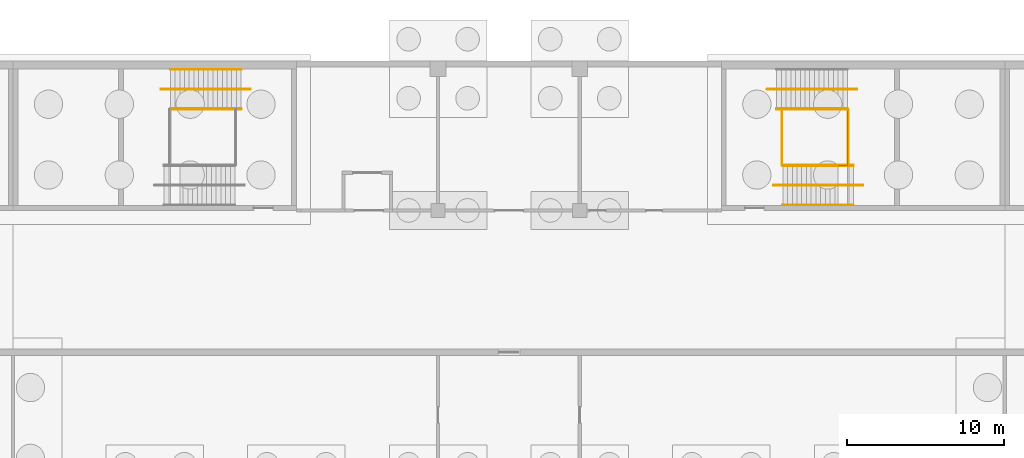
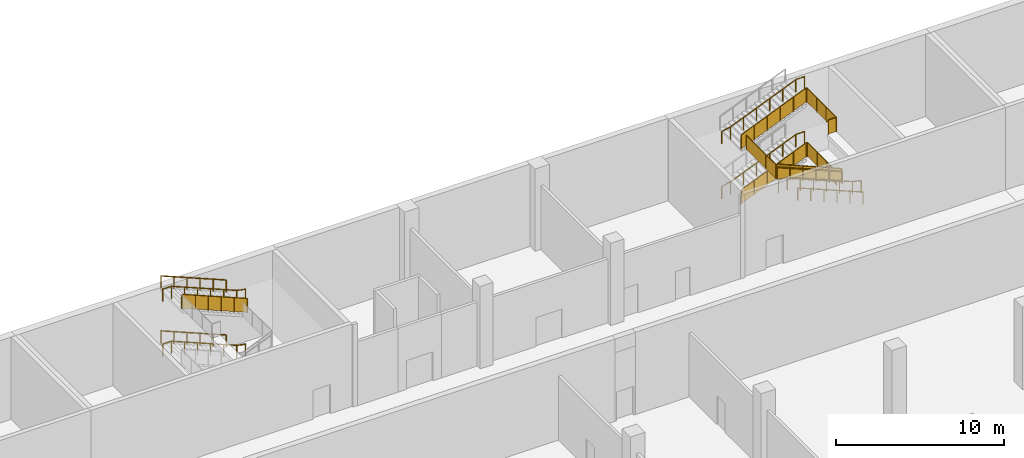
# One storey, part 34 of 42: 19 railings.
"""IFC4 building model written with IfcOpenShell, lengths in metres."""

from ifc_helpers import new_model, si_unit, direction, frame, origin, origin_2d, place, context, subcontext, project, spatial, polyline, circle, outline, extrude, material, type_object, element, save


model = new_model("IFC4")

# Units and contexts
model_context = context("Model", 3, precision=1e-05, world=origin(), true_north=direction((0.0, 1.0)))
body_context = subcontext(model_context, "Body", "Model", "MODEL_VIEW")
ifc_project = project(units=[si_unit("LENGTHUNIT", "METRE"), si_unit("AREAUNIT", "SQUARE_METRE"), si_unit("VOLUMEUNIT", "CUBIC_METRE"), si_unit("PLANEANGLEUNIT", "RADIAN"), si_unit("MASSUNIT", "GRAM", prefix="KILO")], contexts=[model_context])

# Site, building, storey
site_placement = place(None, origin())
site = spatial("IfcSite", under=ifc_project, at=site_placement, CompositionType="ELEMENT")
building_placement = place(site_placement, origin())
building = spatial("IfcBuilding", under=site, at=building_placement, Name="Silverbay Arena", CompositionType="ELEMENT")
storey_placement = place(building_placement, frame((0.0, 0.0, -6.0)))
storey = spatial("IfcBuildingStorey", under=building, at=storey_placement, Name="B1", CompositionType="ELEMENT", Elevation=-6.0)

# Railings
ifc_material_1 = material(Name="Stainless steel", Category="steel")
railing_type_1 = type_object("IfcRailingType", Name="Stair guard 1100", PredefinedType="GUARDRAIL", material=ifc_material_1)
railing_1_placement = place(storey_placement, frame((113.489990234375, 141.425048828125, 4.125)))
element("IfcRailing", 1, at=railing_1_placement, inside=storey, type_object=railing_type_1, Name="Stair ST-N2 B1 to L00 flight 3 guard left", PredefinedType="GUARDRAIL", context=body_context, shape_type="SweptSolid", body=[
    extrude(circle(Radius=0.02392578125, at=origin_2d()), frame((0.0, 0.0, 1.076171875), z_axis=(-0.923076923077, 0.0, 0.384615384615), x_axis=(0.0, -1.0, 0.0)), (0.0, 0.0, 1.0), 4.875),
    extrude(outline(polyline([(-0.008056640625, 0.046630859375), (0.907958984375, 0.42822265625), (0.907958984375, 1.431396484375), (-0.008056640625, 1.049560546875), (-0.008056640625, 0.046630859375)])), frame((0.0, -0.0029296875, 0.0), z_axis=(0.0, 1.0, 0.0), x_axis=(-1.0, 0.0, 0.0)), (0.0, 0.0, 1.0), 0.006103515625),
    extrude(outline(polyline([(-0.008056640625, 0.421630859375), (0.907958984375, 0.80322265625), (0.907958984375, 1.806396484375), (-0.008056640625, 1.424560546875), (-0.008056640625, 0.421630859375)])), frame((-0.89990234375, -0.0029296875, 0.0), z_axis=(0.0, 1.0, 0.0), x_axis=(-1.0, 0.0, 0.0)), (0.0, 0.0, 1.0), 0.006103515625),
    extrude(outline(polyline([(-0.008056640625, 0.796630859375), (0.907958984375, 1.17822265625), (0.907958984375, 2.181396484375), (-0.008056640625, 1.799560546875), (-0.008056640625, 0.796630859375)])), frame((-1.800048828125, -0.0029296875, 0.0), z_axis=(0.0, 1.0, 0.0), x_axis=(-1.0, 0.0, 0.0)), (0.0, 0.0, 1.0), 0.006103515625),
    extrude(outline(polyline([(-0.008056640625, 1.171630859375), (0.907958984375, 1.55322265625), (0.907958984375, 2.556396484375), (-0.008056640625, 2.174560546875), (-0.008056640625, 1.171630859375)])), frame((-2.699951171875, -0.0029296875, 0.0), z_axis=(0.0, 1.0, 0.0), x_axis=(-1.0, 0.0, 0.0)), (0.0, 0.0, 1.0), 0.006103515625),
    extrude(outline(polyline([(-0.008056640625, 1.546630859375), (0.907958984375, 1.92822265625), (0.907958984375, 2.931396484375), (-0.008056640625, 2.549560546875), (-0.008056640625, 1.546630859375)])), frame((-3.60009765625, -0.0029296875, 0.0), z_axis=(0.0, 1.0, 0.0), x_axis=(-1.0, 0.0, 0.0)), (0.0, 0.0, 1.0), 0.006103515625),
    extrude(circle(Radius=0.02099609375, at=origin_2d()), origin(), (0.0, 0.0, 1.0), 1.052001953125),
    extrude(circle(Radius=0.02099609375, at=origin_2d()), frame((-0.89990234375, 0.0, 0.375)), (0.0, 0.0, 1.0), 1.052001953125),
    extrude(circle(Radius=0.02099609375, at=origin_2d()), frame((-1.800048828125, 0.0, 0.75)), (0.0, 0.0, 1.0), 1.052001953125),
    extrude(circle(Radius=0.02099609375, at=origin_2d()), frame((-2.699951171875, 0.0, 1.125)), (0.0, 0.0, 1.0), 1.052001953125),
    extrude(circle(Radius=0.02099609375, at=origin_2d()), frame((-3.60009765625, 0.0, 1.5)), (0.0, 0.0, 1.0), 1.052001953125),
    extrude(circle(Radius=0.02099609375, at=origin_2d()), frame((-4.5, 0.0, 1.875)), (0.0, 0.0, 1.0), 1.052001953125),
])
railing_2_placement = place(storey_placement, frame((147.510009765625, 141.425048828125, 0.125)))
element("IfcRailing", 2, at=railing_2_placement, inside=storey, type_object=railing_type_1, Name="Stair ST-N3 B1 to L00 flight 1 guard left", PredefinedType="GUARDRAIL", context=body_context, shape_type="SweptSolid", body=[
    extrude(circle(Radius=0.02392578125, at=origin_2d()), frame((0.0, 0.0, 1.076171875), z_axis=(0.923076923077, 0.0, 0.384615384615), x_axis=(0.0, 1.0, 0.0)), (0.0, 0.0, 1.0), 4.875),
    extrude(outline(polyline([(-0.008056640625, 0.046630859375), (0.907958984375, 0.42822265625), (0.907958984375, 1.431396484375), (-0.008056640625, 1.049560546875), (-0.008056640625, 0.046630859375)])), frame((0.0, 0.0029296875, 0.0), z_axis=(0.0, -1.0, 0.0), x_axis=(1.0, 0.0, 0.0)), (0.0, 0.0, 1.0), 0.006103515625),
    extrude(outline(polyline([(-0.008056640625, 0.421630859375), (0.907958984375, 0.80322265625), (0.907958984375, 1.806396484375), (-0.008056640625, 1.424560546875), (-0.008056640625, 0.421630859375)])), frame((0.89990234375, 0.0029296875, 0.0), z_axis=(0.0, -1.0, 0.0), x_axis=(1.0, 0.0, 0.0)), (0.0, 0.0, 1.0), 0.006103515625),
    extrude(outline(polyline([(-0.008056640625, 0.796630859375), (0.907958984375, 1.17822265625), (0.907958984375, 2.181396484375), (-0.008056640625, 1.799560546875), (-0.008056640625, 0.796630859375)])), frame((1.800048828125, 0.0029296875, 0.0), z_axis=(0.0, -1.0, 0.0), x_axis=(1.0, 0.0, 0.0)), (0.0, 0.0, 1.0), 0.006103515625),
    extrude(outline(polyline([(-0.008056640625, 1.171630859375), (0.907958984375, 1.55322265625), (0.907958984375, 2.556396484375), (-0.008056640625, 2.174560546875), (-0.008056640625, 1.171630859375)])), frame((2.699951171875, 0.0029296875, 0.0), z_axis=(0.0, -1.0, 0.0), x_axis=(1.0, 0.0, 0.0)), (0.0, 0.0, 1.0), 0.006103515625),
    extrude(outline(polyline([(-0.008056640625, 1.546630859375), (0.907958984375, 1.92822265625), (0.907958984375, 2.931396484375), (-0.008056640625, 2.549560546875), (-0.008056640625, 1.546630859375)])), frame((3.60009765625, 0.0029296875, 0.0), z_axis=(0.0, -1.0, 0.0), x_axis=(1.0, 0.0, 0.0)), (0.0, 0.0, 1.0), 0.006103515625),
    extrude(circle(Radius=0.02099609375, at=origin_2d()), origin(), (0.0, 0.0, 1.0), 1.052001953125),
    extrude(circle(Radius=0.02099609375, at=origin_2d()), frame((0.89990234375, 0.0, 0.375)), (0.0, 0.0, 1.0), 1.052001953125),
    extrude(circle(Radius=0.02099609375, at=origin_2d()), frame((1.800048828125, 0.0, 0.75)), (0.0, 0.0, 1.0), 1.052001953125),
    extrude(circle(Radius=0.02099609375, at=origin_2d()), frame((2.699951171875, 0.0, 1.125)), (0.0, 0.0, 1.0), 1.052001953125),
    extrude(circle(Radius=0.02099609375, at=origin_2d()), frame((3.60009765625, 0.0, 1.5)), (0.0, 0.0, 1.0), 1.052001953125),
    extrude(circle(Radius=0.02099609375, at=origin_2d()), frame((4.5, 0.0, 1.875)), (0.0, 0.0, 1.0), 1.052001953125),
])
railing_3_placement = place(storey_placement, frame((152.39990234375, 137.875, 2.125)))
element("IfcRailing", 3, at=railing_3_placement, inside=storey, type_object=railing_type_1, Name="Stair ST-N3 B1 to L00 flight 2 guard right", PredefinedType="GUARDRAIL", context=body_context, shape_type="SweptSolid", body=[
    extrude(circle(Radius=0.02392578125, at=origin_2d()), frame((0.0, 0.0, 1.076171875), z_axis=(-0.923076923077, 0.0, 0.384615384615), x_axis=(0.0, -1.0, 0.0)), (0.0, 0.0, 1.0), 4.875),
    extrude(outline(polyline([(-0.008056640625, 0.046630859375), (0.907958984375, 0.42822265625), (0.907958984375, 1.431396484375), (-0.008056640625, 1.049560546875), (-0.008056640625, 0.046630859375)])), frame((0.0, -0.0029296875, 0.0), z_axis=(0.0, 1.0, 0.0), x_axis=(-1.0, 0.0, 0.0)), (0.0, 0.0, 1.0), 0.006103515625),
    extrude(outline(polyline([(-0.008056640625, 0.421630859375), (0.907958984375, 0.80322265625), (0.907958984375, 1.806396484375), (-0.008056640625, 1.424560546875), (-0.008056640625, 0.421630859375)])), frame((-0.89990234375, -0.0029296875, 0.0), z_axis=(0.0, 1.0, 0.0), x_axis=(-1.0, 0.0, 0.0)), (0.0, 0.0, 1.0), 0.006103515625),
    extrude(outline(polyline([(-0.008056640625, 0.796630859375), (0.907958984375, 1.17822265625), (0.907958984375, 2.181396484375), (-0.008056640625, 1.799560546875), (-0.008056640625, 0.796630859375)])), frame((-1.800048828125, -0.0029296875, 0.0), z_axis=(0.0, 1.0, 0.0), x_axis=(-1.0, 0.0, 0.0)), (0.0, 0.0, 1.0), 0.006103515625),
    extrude(outline(polyline([(-0.008056640625, 1.171630859375), (0.907958984375, 1.55322265625), (0.907958984375, 2.556396484375), (-0.008056640625, 2.174560546875), (-0.008056640625, 1.171630859375)])), frame((-2.699951171875, -0.0029296875, 0.0), z_axis=(0.0, 1.0, 0.0), x_axis=(-1.0, 0.0, 0.0)), (0.0, 0.0, 1.0), 0.006103515625),
    extrude(outline(polyline([(-0.008056640625, 1.546630859375), (0.907958984375, 1.92822265625), (0.907958984375, 2.931396484375), (-0.008056640625, 2.549560546875), (-0.008056640625, 1.546630859375)])), frame((-3.60009765625, -0.0029296875, 0.0), z_axis=(0.0, 1.0, 0.0), x_axis=(-1.0, 0.0, 0.0)), (0.0, 0.0, 1.0), 0.006103515625),
    extrude(circle(Radius=0.02099609375, at=origin_2d()), origin(), (0.0, 0.0, 1.0), 1.052001953125),
    extrude(circle(Radius=0.02099609375, at=origin_2d()), frame((-0.89990234375, 0.0, 0.375)), (0.0, 0.0, 1.0), 1.052001953125),
    extrude(circle(Radius=0.02099609375, at=origin_2d()), frame((-1.800048828125, 0.0, 0.75)), (0.0, 0.0, 1.0), 1.052001953125),
    extrude(circle(Radius=0.02099609375, at=origin_2d()), frame((-2.699951171875, 0.0, 1.125)), (0.0, 0.0, 1.0), 1.052001953125),
    extrude(circle(Radius=0.02099609375, at=origin_2d()), frame((-3.60009765625, 0.0, 1.5)), (0.0, 0.0, 1.0), 1.052001953125),
    extrude(circle(Radius=0.02099609375, at=origin_2d()), frame((-4.5, 0.0, 1.875)), (0.0, 0.0, 1.0), 1.052001953125),
])
railing_4_placement = place(storey_placement, frame((147.510009765625, 141.425048828125, 4.125)))
element("IfcRailing", 4, at=railing_4_placement, inside=storey, type_object=railing_type_1, Name="Stair ST-N3 B1 to L00 flight 3 guard left", PredefinedType="GUARDRAIL", context=body_context, shape_type="SweptSolid", body=[
    extrude(circle(Radius=0.02392578125, at=origin_2d()), frame((0.0, 0.0, 1.076171875), z_axis=(0.923076923077, 0.0, 0.384615384615), x_axis=(0.0, 1.0, 0.0)), (0.0, 0.0, 1.0), 4.875),
    extrude(outline(polyline([(-0.008056640625, 0.046630859375), (0.907958984375, 0.42822265625), (0.907958984375, 1.431396484375), (-0.008056640625, 1.049560546875), (-0.008056640625, 0.046630859375)])), frame((0.0, 0.0029296875, 0.0), z_axis=(0.0, -1.0, 0.0), x_axis=(1.0, 0.0, 0.0)), (0.0, 0.0, 1.0), 0.006103515625),
    extrude(outline(polyline([(-0.008056640625, 0.421630859375), (0.907958984375, 0.80322265625), (0.907958984375, 1.806396484375), (-0.008056640625, 1.424560546875), (-0.008056640625, 0.421630859375)])), frame((0.89990234375, 0.0029296875, 0.0), z_axis=(0.0, -1.0, 0.0), x_axis=(1.0, 0.0, 0.0)), (0.0, 0.0, 1.0), 0.006103515625),
    extrude(outline(polyline([(-0.008056640625, 0.796630859375), (0.907958984375, 1.17822265625), (0.907958984375, 2.181396484375), (-0.008056640625, 1.799560546875), (-0.008056640625, 0.796630859375)])), frame((1.800048828125, 0.0029296875, 0.0), z_axis=(0.0, -1.0, 0.0), x_axis=(1.0, 0.0, 0.0)), (0.0, 0.0, 1.0), 0.006103515625),
    extrude(outline(polyline([(-0.008056640625, 1.171630859375), (0.907958984375, 1.55322265625), (0.907958984375, 2.556396484375), (-0.008056640625, 2.174560546875), (-0.008056640625, 1.171630859375)])), frame((2.699951171875, 0.0029296875, 0.0), z_axis=(0.0, -1.0, 0.0), x_axis=(1.0, 0.0, 0.0)), (0.0, 0.0, 1.0), 0.006103515625),
    extrude(outline(polyline([(-0.008056640625, 1.546630859375), (0.907958984375, 1.92822265625), (0.907958984375, 2.931396484375), (-0.008056640625, 2.549560546875), (-0.008056640625, 1.546630859375)])), frame((3.60009765625, 0.0029296875, 0.0), z_axis=(0.0, -1.0, 0.0), x_axis=(1.0, 0.0, 0.0)), (0.0, 0.0, 1.0), 0.006103515625),
    extrude(circle(Radius=0.02099609375, at=origin_2d()), origin(), (0.0, 0.0, 1.0), 1.052001953125),
    extrude(circle(Radius=0.02099609375, at=origin_2d()), frame((0.89990234375, 0.0, 0.375)), (0.0, 0.0, 1.0), 1.052001953125),
    extrude(circle(Radius=0.02099609375, at=origin_2d()), frame((1.800048828125, 0.0, 0.75)), (0.0, 0.0, 1.0), 1.052001953125),
    extrude(circle(Radius=0.02099609375, at=origin_2d()), frame((2.699951171875, 0.0, 1.125)), (0.0, 0.0, 1.0), 1.052001953125),
    extrude(circle(Radius=0.02099609375, at=origin_2d()), frame((3.60009765625, 0.0, 1.5)), (0.0, 0.0, 1.0), 1.052001953125),
    extrude(circle(Radius=0.02099609375, at=origin_2d()), frame((4.5, 0.0, 1.875)), (0.0, 0.0, 1.0), 1.052001953125),
])
for number, where, name in (
    (5, (152.06005859375, 137.89990234375, 2.0), "Stair ST-N3 B1 to L00 landing 1 guard"),
    (6, (147.85009765625, 137.89990234375, 4.0), "Stair ST-N3 B1 to L00 landing 2 guard"),
):
    element("IfcRailing", number, at=place(storey_placement, frame(where)), inside=storey, type_object=railing_type_1, Name=name, PredefinedType="GUARDRAIL", context=body_context, shape_type="SweptSolid", body=[
        extrude(circle(Radius=0.02392578125, at=origin_2d()), frame((0.0, 0.0, 1.076171875), z_axis=(0.0, 1.0, 0.0), x_axis=(-1.0, 0.0, 0.0)), (0.0, 0.0, 1.0), 3.5),
        extrude(outline(polyline([(-0.008056640625, 0.050048828125), (1.174560546875, 0.050048828125), (1.174560546875, 1.052978515625), (-0.008056640625, 1.052978515625), (-0.008056640625, 0.050048828125)])), frame((-0.0029296875, 0.0, 0.0), z_axis=(1.0, 0.0, 0.0), x_axis=(0.0, 1.0, 0.0)), (0.0, 0.0, 1.0), 0.006103515625),
        extrude(outline(polyline([(-0.008056640625, 0.050048828125), (1.174560546875, 0.050048828125), (1.174560546875, 1.052978515625), (-0.008056640625, 1.052978515625), (-0.008056640625, 0.050048828125)])), frame((-0.0029296875, 1.166748046875, 0.0), z_axis=(1.0, 0.0, 0.0), x_axis=(0.0, 1.0, 0.0)), (0.0, 0.0, 1.0), 0.006103515625),
        extrude(outline(polyline([(-0.008056640625, 0.050048828125), (1.174560546875, 0.050048828125), (1.174560546875, 1.052978515625), (-0.008056640625, 1.052978515625), (-0.008056640625, 0.050048828125)])), frame((-0.0029296875, 2.333251953125, 0.0), z_axis=(1.0, 0.0, 0.0), x_axis=(0.0, 1.0, 0.0)), (0.0, 0.0, 1.0), 0.006103515625),
        extrude(circle(Radius=0.02099609375, at=origin_2d()), origin(), (0.0, 0.0, 1.0), 1.052001953125),
        extrude(circle(Radius=0.02099609375, at=origin_2d()), frame((0.0, 1.166748046875, 0.0)), (0.0, 0.0, 1.0), 1.052001953125),
        extrude(circle(Radius=0.02099609375, at=origin_2d()), frame((0.0, 2.333251953125, 0.0)), (0.0, 0.0, 1.0), 1.052001953125),
        extrude(circle(Radius=0.02099609375, at=origin_2d()), frame((0.0, 3.5, 0.0)), (0.0, 0.0, 1.0), 1.052001953125),
    ])
railing_5_placement = place(storey_placement, frame((151.449951171875, 137.85009765625, 6.0)))
element("IfcRailing", 7, at=railing_5_placement, inside=storey, type_object=railing_type_1, Name="Stair ST-N3 B1 to L00 landing 3 guard", PredefinedType="GUARDRAIL", context=body_context, shape_type="SweptSolid", body=[
    extrude(circle(Radius=0.02392578125, at=origin_2d()), frame((0.0, 0.0, 1.076171875), z_axis=(1.0, 0.0, 0.0), x_axis=(0.0, 1.0, 0.0)), (0.0, 0.0, 1.0), 0.56005859375),
    extrude(outline(polyline([(-0.008056640625, 0.050048828125), (0.568115234375, 0.050048828125), (0.568115234375, 1.052978515625), (-0.008056640625, 1.052978515625), (-0.008056640625, 0.050048828125)])), frame((0.0, 0.0029296875, 0.0), z_axis=(0.0, -1.0, 0.0), x_axis=(1.0, 0.0, 0.0)), (0.0, 0.0, 1.0), 0.006103515625),
    extrude(circle(Radius=0.02392578125, at=origin_2d()), frame((0.56005859375, 0.0, 1.076171875), z_axis=(0.0, 1.0, 0.0), x_axis=(-1.0, 0.0, 0.0)), (0.0, 0.0, 1.0), 3.5498046875),
    extrude(outline(polyline([(-0.008056640625, 0.050048828125), (1.191162109375, 0.050048828125), (1.191162109375, 1.052978515625), (-0.008056640625, 1.052978515625), (-0.008056640625, 0.050048828125)])), frame((0.55712890625, 0.0, 0.0), z_axis=(1.0, 0.0, 0.0), x_axis=(0.0, 1.0, 0.0)), (0.0, 0.0, 1.0), 0.006103515625),
    extrude(outline(polyline([(-0.008056640625, 0.050048828125), (1.191162109375, 0.050048828125), (1.191162109375, 1.052978515625), (-0.008056640625, 1.052978515625), (-0.008056640625, 0.050048828125)])), frame((0.55712890625, 1.183349609375, 0.0), z_axis=(1.0, 0.0, 0.0), x_axis=(0.0, 1.0, 0.0)), (0.0, 0.0, 1.0), 0.006103515625),
    extrude(outline(polyline([(-0.008056640625, 0.050048828125), (1.191162109375, 0.050048828125), (1.191162109375, 1.052978515625), (-0.008056640625, 1.052978515625), (-0.008056640625, 0.050048828125)])), frame((0.55712890625, 2.366455078125, 0.0), z_axis=(1.0, 0.0, 0.0), x_axis=(0.0, 1.0, 0.0)), (0.0, 0.0, 1.0), 0.006103515625),
    extrude(circle(Radius=0.02099609375, at=origin_2d()), origin(), (0.0, 0.0, 1.0), 1.052001953125),
    extrude(circle(Radius=0.02099609375, at=origin_2d()), frame((0.56005859375, 0.0, 0.0)), (0.0, 0.0, 1.0), 1.052001953125),
    extrude(circle(Radius=0.02099609375, at=origin_2d()), frame((0.56005859375, 1.183349609375, 0.0)), (0.0, 0.0, 1.0), 1.052001953125),
    extrude(circle(Radius=0.02099609375, at=origin_2d()), frame((0.56005859375, 2.366455078125, 0.0)), (0.0, 0.0, 1.0), 1.052001953125),
    extrude(circle(Radius=0.02099609375, at=origin_2d()), frame((0.56005859375, 3.5498046875, 0.0)), (0.0, 0.0, 1.0), 1.052001953125),
])
ifc_material_2 = material(Name="Stainless steel", Category="steel")
railing_type_2 = type_object("IfcRailingType", Name="Stair handrail 900", PredefinedType="HANDRAIL", material=ifc_material_2)
railing_6_placement = place(storey_placement, frame((113.489990234375, 143.949951171875, 0.125)))
element("IfcRailing", 8, at=railing_6_placement, inside=storey, type_object=railing_type_2, Name="Stair ST-N2 B1 to L00 flight 1 handrail right", PredefinedType="HANDRAIL", context=body_context, shape_type="SweptSolid", body=[
    extrude(circle(Radius=0.02392578125, at=origin_2d()), frame((0.0, 0.0, 0.8759765625), z_axis=(-0.923076923077, 0.0, 0.384615384615), x_axis=(0.0, -1.0, 0.0)), (0.0, 0.0, 1.0), 4.875),
    extrude(circle(Radius=0.02099609375, at=origin_2d()), origin(), (0.0, 0.0, 1.0), 0.851806640625),
    extrude(circle(Radius=0.02099609375, at=origin_2d()), frame((-0.89990234375, 0.0, 0.375)), (0.0, 0.0, 1.0), 0.851806640625),
    extrude(circle(Radius=0.02099609375, at=origin_2d()), frame((-1.800048828125, 0.0, 0.75)), (0.0, 0.0, 1.0), 0.851806640625),
    extrude(circle(Radius=0.02099609375, at=origin_2d()), frame((-2.699951171875, 0.0, 1.125)), (0.0, 0.0, 1.0), 0.851806640625),
    extrude(circle(Radius=0.02099609375, at=origin_2d()), frame((-3.60009765625, 0.0, 1.5)), (0.0, 0.0, 1.0), 0.851806640625),
    extrude(circle(Radius=0.02099609375, at=origin_2d()), frame((-4.5, 0.0, 1.875)), (0.0, 0.0, 1.0), 0.851806640625),
])
railing_7_placement = place(storey_placement, frame((114.090087890625, 142.699951171875, 0.0)))
element("IfcRailing", 9, at=railing_7_placement, inside=storey, type_object=railing_type_2, Name="Stair ST-N2 B1 to L00 flight 1 central handrail", PredefinedType="HANDRAIL", context=body_context, shape_type="SweptSolid", body=[
    extrude(circle(Radius=0.02392578125, at=origin_2d()), frame((0.0, 0.0, 0.8759765625), z_axis=(-0.978987046276, 0.0, 0.203922444139), x_axis=(0.0, -1.0, 0.0)), (0.0, 0.0, 1.0), 0.613037109375),
    extrude(circle(Radius=0.02392578125, at=origin_2d()), frame((-0.60009765625, 0.0, 1.0009765625), z_axis=(-0.923076923077, 0.0, 0.384615384615), x_axis=(0.0, -1.0, 0.0)), (0.0, 0.0, 1.0), 4.875),
    extrude(circle(Radius=0.02392578125, at=origin_2d()), frame((-5.10009765625, 0.0, 2.8759765625), z_axis=(-1.0, 0.0, 0.0), x_axis=(0.0, -1.0, 0.0)), (0.0, 0.0, 1.0), 0.60009765625),
    extrude(circle(Radius=0.02099609375, at=origin_2d()), origin(), (0.0, 0.0, 1.0), 0.851806640625),
    extrude(circle(Radius=0.02099609375, at=origin_2d()), frame((-0.60009765625, 0.0, 0.125)), (0.0, 0.0, 1.0), 0.851806640625),
    extrude(circle(Radius=0.02099609375, at=origin_2d()), frame((-1.5, 0.0, 0.5)), (0.0, 0.0, 1.0), 0.851806640625),
    extrude(circle(Radius=0.02099609375, at=origin_2d()), frame((-2.400146484375, 0.0, 0.875)), (0.0, 0.0, 1.0), 0.851806640625),
    extrude(circle(Radius=0.02099609375, at=origin_2d()), frame((-3.300048828125, 0.0, 1.25)), (0.0, 0.0, 1.0), 0.851806640625),
    extrude(circle(Radius=0.02099609375, at=origin_2d()), frame((-4.2001953125, 0.0, 1.625)), (0.0, 0.0, 1.0), 0.851806640625),
    extrude(circle(Radius=0.02099609375, at=origin_2d()), frame((-5.10009765625, 0.0, 2.0)), (0.0, 0.0, 1.0), 0.851806640625),
    extrude(circle(Radius=0.02099609375, at=origin_2d()), frame((-5.7001953125, 0.0, 2.0)), (0.0, 0.0, 1.0), 0.851806640625),
])
for number, where, name in (
    (10, (113.489990234375, 141.464111328125, 4.125), "Stair ST-N2 B1 to L00 flight 3 handrail left"),
    (11, (113.489990234375, 143.949951171875, 4.125), "Stair ST-N2 B1 to L00 flight 3 handrail right"),
):
    element("IfcRailing", number, at=place(storey_placement, frame(where)), inside=storey, type_object=railing_type_2, Name=name, PredefinedType="HANDRAIL", context=body_context, shape_type="SweptSolid", body=[
        extrude(circle(Radius=0.02392578125, at=origin_2d()), frame((0.0, 0.0, 0.8759765625), z_axis=(-0.923076923077, 0.0, 0.384615384615), x_axis=(0.0, -1.0, 0.0)), (0.0, 0.0, 1.0), 4.875),
        extrude(circle(Radius=0.02099609375, at=origin_2d()), origin(), (0.0, 0.0, 1.0), 0.851806640625),
        extrude(circle(Radius=0.02099609375, at=origin_2d()), frame((-0.89990234375, 0.0, 0.375)), (0.0, 0.0, 1.0), 0.851806640625),
        extrude(circle(Radius=0.02099609375, at=origin_2d()), frame((-1.800048828125, 0.0, 0.75)), (0.0, 0.0, 1.0), 0.851806640625),
        extrude(circle(Radius=0.02099609375, at=origin_2d()), frame((-2.699951171875, 0.0, 1.125)), (0.0, 0.0, 1.0), 0.851806640625),
        extrude(circle(Radius=0.02099609375, at=origin_2d()), frame((-3.60009765625, 0.0, 1.5)), (0.0, 0.0, 1.0), 0.851806640625),
        extrude(circle(Radius=0.02099609375, at=origin_2d()), frame((-4.5, 0.0, 1.875)), (0.0, 0.0, 1.0), 0.851806640625),
    ])
railing_8_placement = place(storey_placement, frame((114.090087890625, 142.699951171875, 4.0)))
element("IfcRailing", 12, at=railing_8_placement, inside=storey, type_object=railing_type_2, Name="Stair ST-N2 B1 to L00 flight 3 central handrail", PredefinedType="HANDRAIL", context=body_context, shape_type="SweptSolid", body=[
    extrude(circle(Radius=0.02392578125, at=origin_2d()), frame((0.0, 0.0, 0.8759765625), z_axis=(-0.978987046276, 0.0, 0.203922444139), x_axis=(0.0, -1.0, 0.0)), (0.0, 0.0, 1.0), 0.613037109375),
    extrude(circle(Radius=0.02392578125, at=origin_2d()), frame((-0.60009765625, 0.0, 1.0009765625), z_axis=(-0.923076923077, 0.0, 0.384615384615), x_axis=(0.0, -1.0, 0.0)), (0.0, 0.0, 1.0), 4.875),
    extrude(circle(Radius=0.02392578125, at=origin_2d()), frame((-5.10009765625, 0.0, 2.8759765625), z_axis=(-1.0, 0.0, 0.0), x_axis=(0.0, -1.0, 0.0)), (0.0, 0.0, 1.0), 0.60009765625),
    extrude(circle(Radius=0.02099609375, at=origin_2d()), origin(), (0.0, 0.0, 1.0), 0.851806640625),
    extrude(circle(Radius=0.02099609375, at=origin_2d()), frame((-0.60009765625, 0.0, 0.125)), (0.0, 0.0, 1.0), 0.851806640625),
    extrude(circle(Radius=0.02099609375, at=origin_2d()), frame((-1.5, 0.0, 0.5)), (0.0, 0.0, 1.0), 0.851806640625),
    extrude(circle(Radius=0.02099609375, at=origin_2d()), frame((-2.400146484375, 0.0, 0.875)), (0.0, 0.0, 1.0), 0.851806640625),
    extrude(circle(Radius=0.02099609375, at=origin_2d()), frame((-3.300048828125, 0.0, 1.25)), (0.0, 0.0, 1.0), 0.851806640625),
    extrude(circle(Radius=0.02099609375, at=origin_2d()), frame((-4.2001953125, 0.0, 1.625)), (0.0, 0.0, 1.0), 0.851806640625),
    extrude(circle(Radius=0.02099609375, at=origin_2d()), frame((-5.10009765625, 0.0, 2.0)), (0.0, 0.0, 1.0), 0.851806640625),
    extrude(circle(Radius=0.02099609375, at=origin_2d()), frame((-5.7001953125, 0.0, 2.0)), (0.0, 0.0, 1.0), 0.851806640625),
])
railing_9_placement = place(storey_placement, frame((147.510009765625, 141.464111328125, 0.125)))
element("IfcRailing", 13, at=railing_9_placement, inside=storey, type_object=railing_type_2, Name="Stair ST-N3 B1 to L00 flight 1 handrail left", PredefinedType="HANDRAIL", context=body_context, shape_type="SweptSolid", body=[
    extrude(circle(Radius=0.02392578125, at=origin_2d()), frame((0.0, 0.0, 0.8759765625), z_axis=(0.923076923077, 0.0, 0.384615384615), x_axis=(0.0, 1.0, 0.0)), (0.0, 0.0, 1.0), 4.875),
    extrude(circle(Radius=0.02099609375, at=origin_2d()), origin(), (0.0, 0.0, 1.0), 0.851806640625),
    extrude(circle(Radius=0.02099609375, at=origin_2d()), frame((0.89990234375, 0.0, 0.375)), (0.0, 0.0, 1.0), 0.851806640625),
    extrude(circle(Radius=0.02099609375, at=origin_2d()), frame((1.800048828125, 0.0, 0.75)), (0.0, 0.0, 1.0), 0.851806640625),
    extrude(circle(Radius=0.02099609375, at=origin_2d()), frame((2.699951171875, 0.0, 1.125)), (0.0, 0.0, 1.0), 0.851806640625),
    extrude(circle(Radius=0.02099609375, at=origin_2d()), frame((3.60009765625, 0.0, 1.5)), (0.0, 0.0, 1.0), 0.851806640625),
    extrude(circle(Radius=0.02099609375, at=origin_2d()), frame((4.5, 0.0, 1.875)), (0.0, 0.0, 1.0), 0.851806640625),
])
railing_10_placement = place(storey_placement, frame((146.909912109375, 142.699951171875, 0.0)))
element("IfcRailing", 14, at=railing_10_placement, inside=storey, type_object=railing_type_2, Name="Stair ST-N3 B1 to L00 flight 1 central handrail", PredefinedType="HANDRAIL", context=body_context, shape_type="SweptSolid", body=[
    extrude(circle(Radius=0.02392578125, at=origin_2d()), frame((0.0, 0.0, 0.8759765625), z_axis=(0.978987046276, 0.0, 0.203922444139), x_axis=(0.0, 1.0, 0.0)), (0.0, 0.0, 1.0), 0.613037109375),
    extrude(circle(Radius=0.02392578125, at=origin_2d()), frame((0.60009765625, 0.0, 1.0009765625), z_axis=(0.923076923077, 0.0, 0.384615384615), x_axis=(0.0, 1.0, 0.0)), (0.0, 0.0, 1.0), 4.875),
    extrude(circle(Radius=0.02392578125, at=origin_2d()), frame((5.10009765625, 0.0, 2.8759765625), z_axis=(1.0, 0.0, 0.0), x_axis=(0.0, 1.0, 0.0)), (0.0, 0.0, 1.0), 0.60009765625),
    extrude(circle(Radius=0.02099609375, at=origin_2d()), origin(), (0.0, 0.0, 1.0), 0.851806640625),
    extrude(circle(Radius=0.02099609375, at=origin_2d()), frame((0.60009765625, 0.0, 0.125)), (0.0, 0.0, 1.0), 0.851806640625),
    extrude(circle(Radius=0.02099609375, at=origin_2d()), frame((1.5, 0.0, 0.5)), (0.0, 0.0, 1.0), 0.851806640625),
    extrude(circle(Radius=0.02099609375, at=origin_2d()), frame((2.400146484375, 0.0, 0.875)), (0.0, 0.0, 1.0), 0.851806640625),
    extrude(circle(Radius=0.02099609375, at=origin_2d()), frame((3.300048828125, 0.0, 1.25)), (0.0, 0.0, 1.0), 0.851806640625),
    extrude(circle(Radius=0.02099609375, at=origin_2d()), frame((4.2001953125, 0.0, 1.625)), (0.0, 0.0, 1.0), 0.851806640625),
    extrude(circle(Radius=0.02099609375, at=origin_2d()), frame((5.10009765625, 0.0, 2.0)), (0.0, 0.0, 1.0), 0.851806640625),
    extrude(circle(Radius=0.02099609375, at=origin_2d()), frame((5.7001953125, 0.0, 2.0)), (0.0, 0.0, 1.0), 0.851806640625),
])
for number, where, name in (
    (15, (152.39990234375, 135.35009765625, 2.125), "Stair ST-N3 B1 to L00 flight 2 handrail left"),
    (16, (152.39990234375, 137.8359375, 2.125), "Stair ST-N3 B1 to L00 flight 2 handrail right"),
):
    element("IfcRailing", number, at=place(storey_placement, frame(where)), inside=storey, type_object=railing_type_2, Name=name, PredefinedType="HANDRAIL", context=body_context, shape_type="SweptSolid", body=[
        extrude(circle(Radius=0.02392578125, at=origin_2d()), frame((0.0, 0.0, 0.8759765625), z_axis=(-0.923076923077, 0.0, 0.384615384615), x_axis=(0.0, -1.0, 0.0)), (0.0, 0.0, 1.0), 4.875),
        extrude(circle(Radius=0.02099609375, at=origin_2d()), origin(), (0.0, 0.0, 1.0), 0.851806640625),
        extrude(circle(Radius=0.02099609375, at=origin_2d()), frame((-0.89990234375, 0.0, 0.375)), (0.0, 0.0, 1.0), 0.851806640625),
        extrude(circle(Radius=0.02099609375, at=origin_2d()), frame((-1.800048828125, 0.0, 0.75)), (0.0, 0.0, 1.0), 0.851806640625),
        extrude(circle(Radius=0.02099609375, at=origin_2d()), frame((-2.699951171875, 0.0, 1.125)), (0.0, 0.0, 1.0), 0.851806640625),
        extrude(circle(Radius=0.02099609375, at=origin_2d()), frame((-3.60009765625, 0.0, 1.5)), (0.0, 0.0, 1.0), 0.851806640625),
        extrude(circle(Radius=0.02099609375, at=origin_2d()), frame((-4.5, 0.0, 1.875)), (0.0, 0.0, 1.0), 0.851806640625),
    ])
railing_11_placement = place(storey_placement, frame((153.0, 136.60009765625, 2.0)))
element("IfcRailing", 17, at=railing_11_placement, inside=storey, type_object=railing_type_2, Name="Stair ST-N3 B1 to L00 flight 2 central handrail", PredefinedType="HANDRAIL", context=body_context, shape_type="SweptSolid", body=[
    extrude(circle(Radius=0.02392578125, at=origin_2d()), frame((0.0, 0.0, 0.8759765625), z_axis=(-0.978987046276, 0.0, 0.203922444139), x_axis=(0.0, -1.0, 0.0)), (0.0, 0.0, 1.0), 0.613037109375),
    extrude(circle(Radius=0.02392578125, at=origin_2d()), frame((-0.60009765625, 0.0, 1.0009765625), z_axis=(-0.923076923077, 0.0, 0.384615384615), x_axis=(0.0, -1.0, 0.0)), (0.0, 0.0, 1.0), 4.875),
    extrude(circle(Radius=0.02392578125, at=origin_2d()), frame((-5.10009765625, 0.0, 2.8759765625), z_axis=(-1.0, 0.0, 0.0), x_axis=(0.0, -1.0, 0.0)), (0.0, 0.0, 1.0), 0.599853515625),
    extrude(circle(Radius=0.02099609375, at=origin_2d()), origin(), (0.0, 0.0, 1.0), 0.851806640625),
    extrude(circle(Radius=0.02099609375, at=origin_2d()), frame((-0.60009765625, 0.0, 0.125)), (0.0, 0.0, 1.0), 0.851806640625),
    extrude(circle(Radius=0.02099609375, at=origin_2d()), frame((-1.5, 0.0, 0.5)), (0.0, 0.0, 1.0), 0.851806640625),
    extrude(circle(Radius=0.02099609375, at=origin_2d()), frame((-2.400146484375, 0.0, 0.875)), (0.0, 0.0, 1.0), 0.851806640625),
    extrude(circle(Radius=0.02099609375, at=origin_2d()), frame((-3.300048828125, 0.0, 1.25)), (0.0, 0.0, 1.0), 0.851806640625),
    extrude(circle(Radius=0.02099609375, at=origin_2d()), frame((-4.2001953125, 0.0, 1.625)), (0.0, 0.0, 1.0), 0.851806640625),
    extrude(circle(Radius=0.02099609375, at=origin_2d()), frame((-5.10009765625, 0.0, 2.0)), (0.0, 0.0, 1.0), 0.851806640625),
    extrude(circle(Radius=0.02099609375, at=origin_2d()), frame((-5.699951171875, 0.0, 2.0)), (0.0, 0.0, 1.0), 0.851806640625),
])
railing_12_placement = place(storey_placement, frame((147.510009765625, 141.464111328125, 4.125)))
element("IfcRailing", 18, at=railing_12_placement, inside=storey, type_object=railing_type_2, Name="Stair ST-N3 B1 to L00 flight 3 handrail left", PredefinedType="HANDRAIL", context=body_context, shape_type="SweptSolid", body=[
    extrude(circle(Radius=0.02392578125, at=origin_2d()), frame((0.0, 0.0, 0.8759765625), z_axis=(0.923076923077, 0.0, 0.384615384615), x_axis=(0.0, 1.0, 0.0)), (0.0, 0.0, 1.0), 4.875),
    extrude(circle(Radius=0.02099609375, at=origin_2d()), origin(), (0.0, 0.0, 1.0), 0.851806640625),
    extrude(circle(Radius=0.02099609375, at=origin_2d()), frame((0.89990234375, 0.0, 0.375)), (0.0, 0.0, 1.0), 0.851806640625),
    extrude(circle(Radius=0.02099609375, at=origin_2d()), frame((1.800048828125, 0.0, 0.75)), (0.0, 0.0, 1.0), 0.851806640625),
    extrude(circle(Radius=0.02099609375, at=origin_2d()), frame((2.699951171875, 0.0, 1.125)), (0.0, 0.0, 1.0), 0.851806640625),
    extrude(circle(Radius=0.02099609375, at=origin_2d()), frame((3.60009765625, 0.0, 1.5)), (0.0, 0.0, 1.0), 0.851806640625),
    extrude(circle(Radius=0.02099609375, at=origin_2d()), frame((4.5, 0.0, 1.875)), (0.0, 0.0, 1.0), 0.851806640625),
])
railing_13_placement = place(storey_placement, frame((146.909912109375, 142.699951171875, 4.0)))
element("IfcRailing", 19, at=railing_13_placement, inside=storey, type_object=railing_type_2, Name="Stair ST-N3 B1 to L00 flight 3 central handrail", PredefinedType="HANDRAIL", context=body_context, shape_type="SweptSolid", body=[
    extrude(circle(Radius=0.02392578125, at=origin_2d()), frame((0.0, 0.0, 0.8759765625), z_axis=(0.978987046276, 0.0, 0.203922444139), x_axis=(0.0, 1.0, 0.0)), (0.0, 0.0, 1.0), 0.613037109375),
    extrude(circle(Radius=0.02392578125, at=origin_2d()), frame((0.60009765625, 0.0, 1.0009765625), z_axis=(0.923076923077, 0.0, 0.384615384615), x_axis=(0.0, 1.0, 0.0)), (0.0, 0.0, 1.0), 4.875),
    extrude(circle(Radius=0.02392578125, at=origin_2d()), frame((5.10009765625, 0.0, 2.8759765625), z_axis=(1.0, 0.0, 0.0), x_axis=(0.0, 1.0, 0.0)), (0.0, 0.0, 1.0), 0.60009765625),
    extrude(circle(Radius=0.02099609375, at=origin_2d()), origin(), (0.0, 0.0, 1.0), 0.851806640625),
    extrude(circle(Radius=0.02099609375, at=origin_2d()), frame((0.60009765625, 0.0, 0.125)), (0.0, 0.0, 1.0), 0.851806640625),
    extrude(circle(Radius=0.02099609375, at=origin_2d()), frame((1.5, 0.0, 0.5)), (0.0, 0.0, 1.0), 0.851806640625),
    extrude(circle(Radius=0.02099609375, at=origin_2d()), frame((2.400146484375, 0.0, 0.875)), (0.0, 0.0, 1.0), 0.851806640625),
    extrude(circle(Radius=0.02099609375, at=origin_2d()), frame((3.300048828125, 0.0, 1.25)), (0.0, 0.0, 1.0), 0.851806640625),
    extrude(circle(Radius=0.02099609375, at=origin_2d()), frame((4.2001953125, 0.0, 1.625)), (0.0, 0.0, 1.0), 0.851806640625),
    extrude(circle(Radius=0.02099609375, at=origin_2d()), frame((5.10009765625, 0.0, 2.0)), (0.0, 0.0, 1.0), 0.851806640625),
    extrude(circle(Radius=0.02099609375, at=origin_2d()), frame((5.7001953125, 0.0, 2.0)), (0.0, 0.0, 1.0), 0.851806640625),
])

save(model, "model.ifc")
